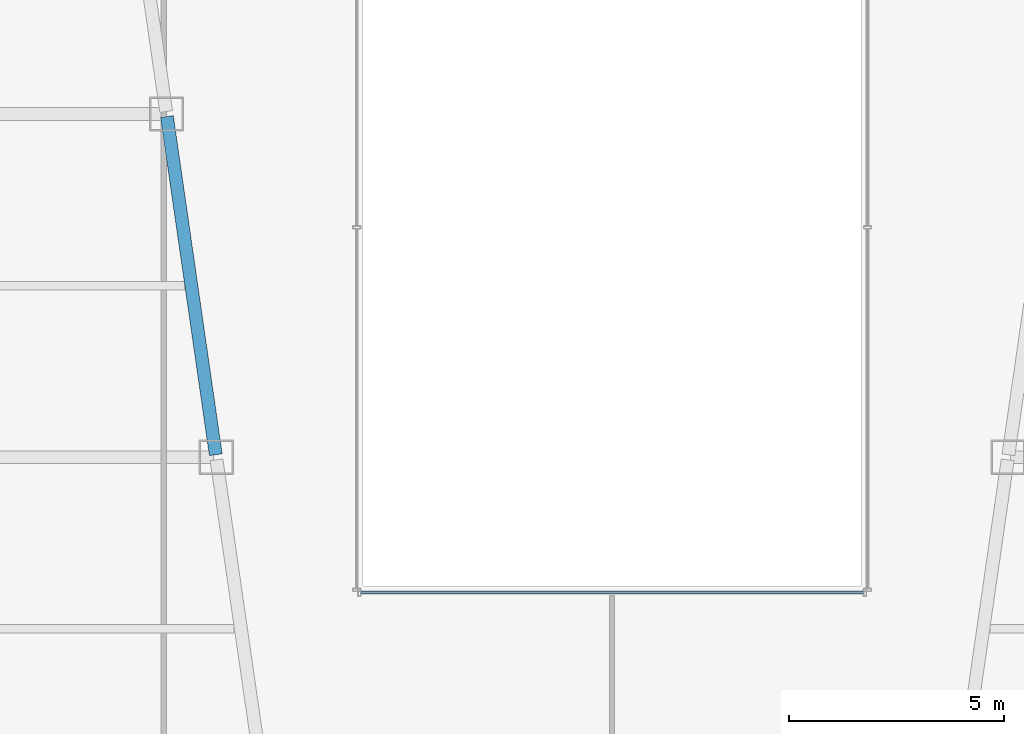
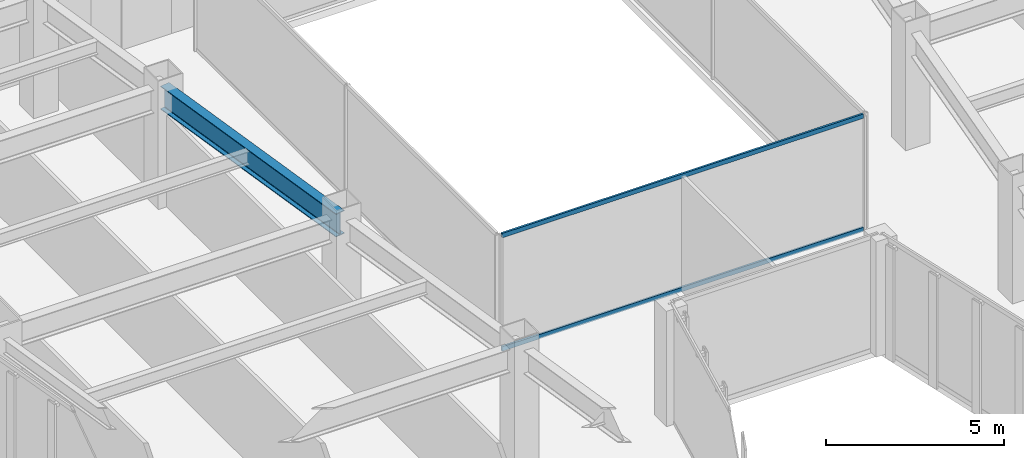
# One storey, part 13 of 47: 2 members, 1 beam, 1 element without a shape of its own.
"""IFC4 building model written with IfcOpenShell, lengths in metres."""

from ifc_helpers import new_model, si_unit, direction, frame, origin, origin_2d, place, context, subcontext, project, spatial, hollow_rectangle, i_section, extrude, material, material_profile, profile_set, type_object, element, aggregate, save


model = new_model("IFC4")

# Units and contexts
model_context = context("Model", 3, precision=1e-05, world=origin(), true_north=direction((0.0, 1.0)))
body_context = subcontext(model_context, "Body", "Model", "MODEL_VIEW")
ifc_project = project(units=[si_unit("LENGTHUNIT", "METRE"), si_unit("AREAUNIT", "SQUARE_METRE"), si_unit("VOLUMEUNIT", "CUBIC_METRE"), si_unit("PLANEANGLEUNIT", "RADIAN"), si_unit("MASSUNIT", "GRAM", prefix="KILO")], contexts=[model_context])

# Site, building, storey
site_placement = place(None, origin())
site = spatial("IfcSite", under=ifc_project, at=site_placement, CompositionType="ELEMENT")
building_placement = place(site_placement, origin())
building = spatial("IfcBuilding", under=site, at=building_placement, Name="Saevonmaru Cultural Tower", CompositionType="ELEMENT")
storey_placement = place(building_placement, frame((0.0, 0.0, 82.39990234375)))
storey = spatial("IfcBuildingStorey", under=building, at=storey_placement, Name="L17", CompositionType="ELEMENT", Elevation=82.39990234375)

# Beam
ifc_material_1 = material(Name="Steel SM420", Category="steel")
ifc_material_profile_1 = material_profile(ifc_material_1, i_section(OverallWidth=0.300048828125, OverallDepth=0.800048828125, WebThickness=0.013916015625, FlangeThickness=0.02587890625, FilletRadius=0.028076171875, at=origin_2d()), Name="H-800x300x14x26")
ifc_profile_set_1 = profile_set([ifc_material_profile_1], Name="Steel SM420")
beam_type = type_object("IfcBeamType", Name="BM-G-H800", PredefinedType="BEAM", material=ifc_profile_set_1)
beam_placement = place(storey_placement, frame((20.763427734375, 24.059326171875, 3.550048828125), z_axis=(-0.142902032203, 0.989736838353, 0.0), x_axis=(-0.989736838353, -0.142902032203, 0.0)))
element("IfcBeam", 1, at=beam_placement, inside=storey, type_object=beam_type, Name="L17 West Atrium Girder 4", PredefinedType="BEAM", context=body_context, shape_type="SweptSolid", body=[
    extrude(i_section(OverallWidth=0.300048828125, OverallDepth=0.800048828125, WebThickness=0.013916015625, FlangeThickness=0.02587890625, FilletRadius=0.028076171875, at=origin_2d()), origin(), (0.0, 0.0, 1.0), 7.963134765625),
])

# Curtain wall, members
ifc_material_2 = material(Name="Satin Bronze Anodised Aluminium", Category="aluminium")
curtain_wall_type = type_object("IfcCurtainWallType", Name="CW-ATR-GLZ", PredefinedType="NOTDEFINED", material=ifc_material_2)
curtain_wall_placement = place(storey_placement, origin())
curtain_wall = element("IfcCurtainWall", 2, at=curtain_wall_placement, inside=storey, type_object=curtain_wall_type, Name="L17 Vertical Atrium Glazed Smoke Screen 1", PredefinedType="NOTDEFINED")
ifc_material_profile_2 = material_profile(ifc_material_2, hollow_rectangle(XDim=0.06494140625, YDim=0.14990234375, WallThickness=0.00390625, at=origin_2d()), Name="ALU-TRAN-150x65x4")
ifc_profile_set_2 = profile_set([ifc_material_profile_2], Name="Satin Bronze Anodised Aluminium")
member_type = type_object("IfcMemberType", Name="TR-CW-INT-150x65", PredefinedType="USERDEFINED", material=ifc_profile_set_2)
member_1_placement = place(storey_placement, frame((24.142578125, 20.85009765625, 0.03271484375), z_axis=(1.0, 0.0, 0.0), x_axis=(0.0, 1.0, 0.0)))
member_1 = element("IfcMember", 3, at=member_1_placement, type_object=member_type, Name="CW-ATR-L17-1 transom 1.1", ObjectType="TRANSOM", PredefinedType="USERDEFINED", context=body_context, shape_type="SweptSolid", body=[
    extrude(hollow_rectangle(XDim=0.06494140625, YDim=0.14990234375, WallThickness=0.00390625, at=origin_2d()), origin(), (0.0, 0.0, 1.0), 11.71484375),
])
member_2_placement = place(storey_placement, frame((24.142578125, 20.85009765625, 3.91748046875), z_axis=(1.0, 0.0, 0.0), x_axis=(0.0, 1.0, 0.0)))
member_2 = element("IfcMember", 4, at=member_2_placement, type_object=member_type, Name="CW-ATR-L17-1 transom 1.2", ObjectType="TRANSOM", PredefinedType="USERDEFINED", context=body_context, shape_type="SweptSolid", body=[
    extrude(hollow_rectangle(XDim=0.06494140625, YDim=0.14990234375, WallThickness=0.00390625, at=origin_2d()), origin(), (0.0, 0.0, 1.0), 11.71484375),
])
aggregate(curtain_wall, [member_1, member_2])

save(model, "model.ifc")
